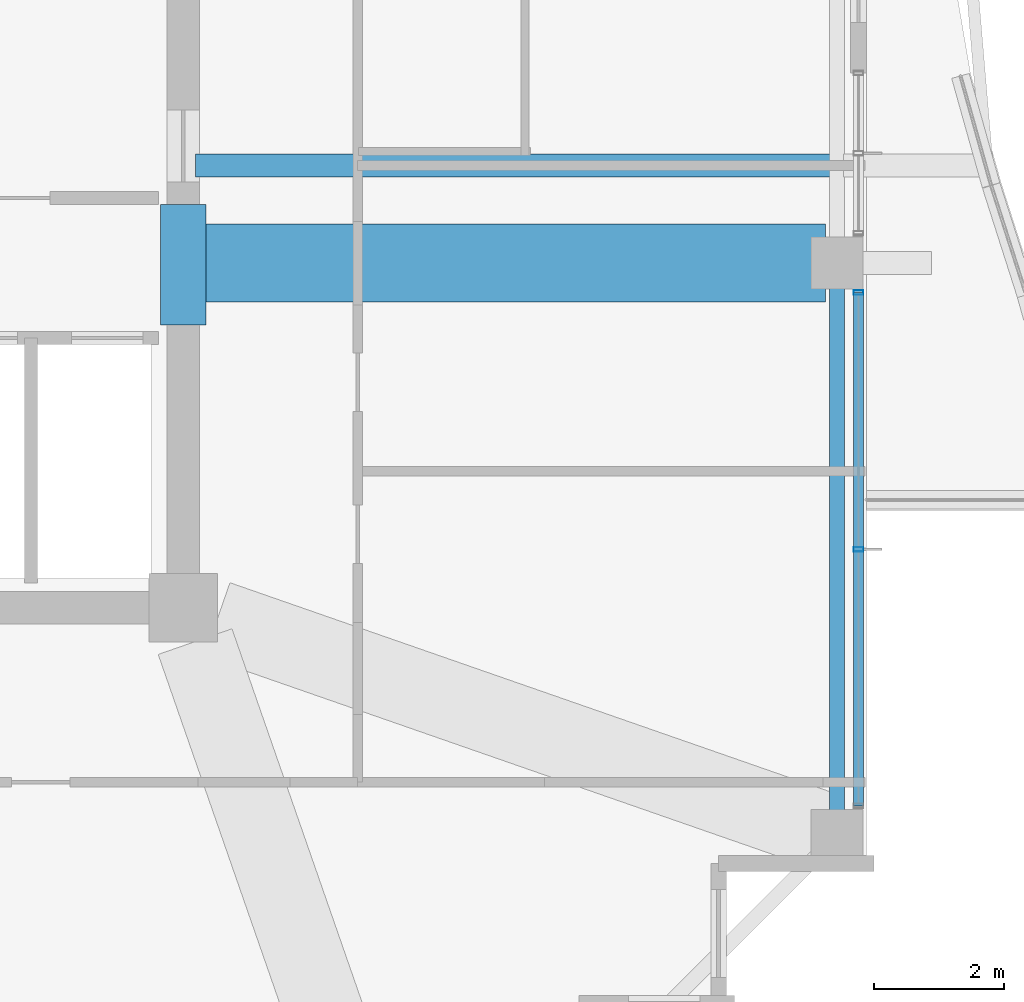
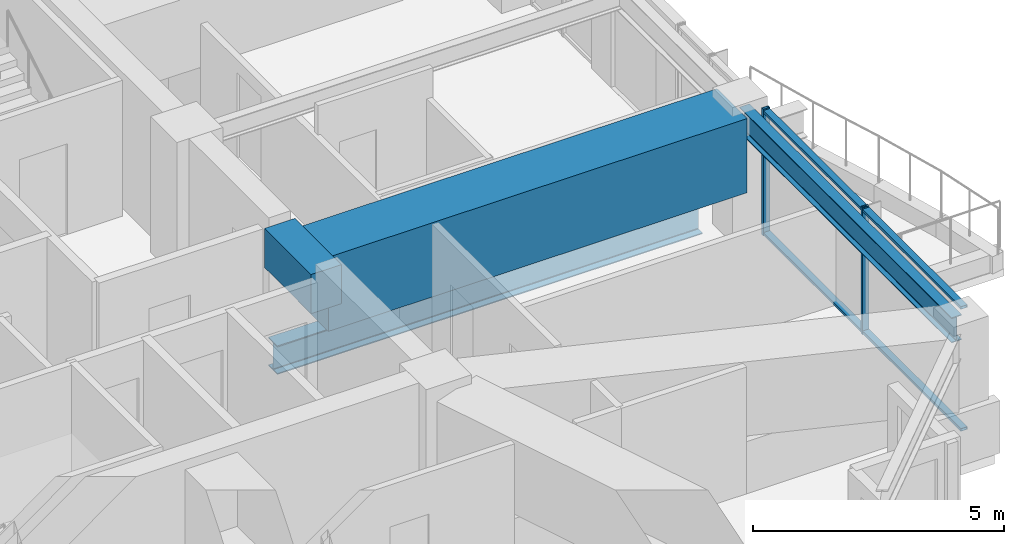
# One storey, part 13 of 35: 4 beams, 4 members, 1 element without a shape of its own.
"""IFC4 building model written with IfcOpenShell, lengths in metres."""

from ifc_helpers import new_model, si_unit, direction, frame, origin, origin_2d, place, context, subcontext, project, spatial, rectangle, hollow_rectangle, i_section, extrude, material, material_profile, profile_set, type_object, element, aggregate, save


model = new_model("IFC4")

# Units and contexts
model_context = context("Model", 3, precision=1e-05, world=origin(), true_north=direction((0.0, 1.0)))
body_context = subcontext(model_context, "Body", "Model", "MODEL_VIEW")
ifc_project = project(units=[si_unit("LENGTHUNIT", "METRE"), si_unit("AREAUNIT", "SQUARE_METRE"), si_unit("VOLUMEUNIT", "CUBIC_METRE"), si_unit("PLANEANGLEUNIT", "RADIAN"), si_unit("MASSUNIT", "GRAM", prefix="KILO")], contexts=[model_context])

# Site, building, storey
site_placement = place(None, origin())
site = spatial("IfcSite", under=ifc_project, at=site_placement, CompositionType="ELEMENT")
building_placement = place(site_placement, origin())
building = spatial("IfcBuilding", under=site, at=building_placement, Name="Kolvaren Belvedere", CompositionType="ELEMENT")
storey_placement = place(building_placement, frame((0.0, 0.0, 203.10009765625)))
storey = spatial("IfcBuildingStorey", under=building, at=storey_placement, Name="L59", CompositionType="ELEMENT", Elevation=203.10009765625)

# Beams
ifc_material_1 = material(Name="Structural steel ASTM A992 Grade 50", Category="steel")
ifc_material_profile_1 = material_profile(ifc_material_1, i_section(OverallWidth=0.35498046875, OverallDepth=0.696044921875, WebThickness=0.015380859375, FlangeThickness=0.02490234375, FilletRadius=0.02197265625, at=origin_2d()), Name="W27X146")
ifc_profile_set_1 = profile_set([ifc_material_profile_1], Name="Structural steel ASTM A992 Grade 50")
beam_type_1 = type_object("IfcBeamType", Name="BM-GIRD-W27X146", PredefinedType="BEAM", material=ifc_profile_set_1)
beam_1_placement = place(storey_placement, frame((10.090087890625, -3.10009765625, -0.568115234375), z_axis=(1.0, 0.0, 0.0), x_axis=(0.0, 1.0, 0.0)))
element("IfcBeam", 1, at=beam_1_placement, inside=storey, type_object=beam_type_1, Name="L59 Balcony Interior Back-Span Girder BAL-E-1", PredefinedType="BEAM", context=body_context, shape_type="SweptSolid", body=[
    extrude(i_section(OverallWidth=0.35498046875, OverallDepth=0.696044921875, WebThickness=0.015380859375, FlangeThickness=0.02490234375, FilletRadius=0.02197265625, at=origin_2d()), origin(), (0.0, 0.0, 1.0), 9.764892578125),
])
ifc_material_2 = material(Name="Concrete C60/75", Category="concrete")
ifc_material_profile_2 = material_profile(ifc_material_2, rectangle(XDim=0.699951171875, YDim=0.949951171875, at=origin_2d()), Name="RC 700X950")
ifc_profile_set_2 = profile_set([ifc_material_profile_2], Name="Concrete C60/75")
beam_type_2 = type_object("IfcBeamType", Name="BM-LINT-950", PredefinedType="LINTEL", material=ifc_profile_set_2)
beam_2_placement = place(storey_placement, frame((9.89990234375, -5.550048828125, 2.60498046875), z_axis=(0.0, 1.0, 0.0), x_axis=(-1.0, 0.0, 0.0)))
element("IfcBeam", 2, at=beam_2_placement, inside=storey, type_object=beam_type_2, Name="L59 East Core Coupling Lintel", PredefinedType="LINTEL", context=body_context, shape_type="SweptSolid", body=[
    extrude(rectangle(XDim=0.699951171875, YDim=0.949951171875, at=origin_2d()), origin(), (0.0, 0.0, 1.0), 1.85009765625),
])
ifc_material_3 = material(Name="Structural steel ASTM A992 Grade 50", Category="steel")
ifc_material_profile_3 = material_profile(ifc_material_3, i_section(OverallWidth=0.22900390625, OverallDepth=0.612060546875, WebThickness=0.011962890625, FlangeThickness=0.01953125, FilletRadius=0.01806640625, at=origin_2d()), Name="W24X84")
ifc_profile_set_3 = profile_set([ifc_material_profile_3], Name="Structural steel ASTM A992 Grade 50")
beam_type_3 = type_object("IfcBeamType", Name="BM-SPAN-W24X84", PredefinedType="SPANDREL", material=ifc_profile_set_3)
beam_3_placement = place(storey_placement, frame((19.949951171875, -13.219970703125, 2.77392578125), z_axis=(0.0, 1.0, 0.0), x_axis=(-1.0, 0.0, 0.0)))
element("IfcBeam", 3, at=beam_3_placement, inside=storey, type_object=beam_type_3, Name="L59 Perimeter Spandrel E1-E2", PredefinedType="SPANDREL", context=body_context, shape_type="SweptSolid", body=[
    extrude(i_section(OverallWidth=0.22900390625, OverallDepth=0.612060546875, WebThickness=0.011962890625, FlangeThickness=0.01953125, FilletRadius=0.01806640625, at=origin_2d()), origin(), (0.0, 0.0, 1.0), 8.43994140625),
])
ifc_material_4 = material(Name="Concrete C50/60", Category="concrete")
ifc_material_profile_4 = material_profile(ifc_material_4, rectangle(XDim=1.199951171875, YDim=1.800048828125, at=origin_2d()), Name="RC 1200X1800")
ifc_profile_set_4 = profile_set([ifc_material_profile_4], Name="Concrete C50/60")
beam_type_4 = type_object("IfcBeamType", Name="BM-TG-1800", PredefinedType="BEAM", material=ifc_profile_set_4)
beam_4_placement = place(storey_placement, frame((10.14990234375, -4.60009765625, 2.179931640625), z_axis=(1.0, 0.0, 0.0), x_axis=(0.0, 1.0, 0.0)))
element("IfcBeam", 4, at=beam_4_placement, inside=storey, type_object=beam_type_4, Name="L59 East Radial Girder M", PredefinedType="BEAM", context=body_context, shape_type="SweptSolid", body=[
    extrude(rectangle(XDim=1.199951171875, YDim=1.800048828125, at=origin_2d()), origin(), (0.0, 0.0, 1.0), 9.6201171875),
])

# Curtain wall, members
ifc_material_5 = material(Name="Anodised pale-metal aluminium AA 6063-T6", Category="aluminium")
curtain_wall_type = type_object("IfcCurtainWallType", Name="CW-Z5-HIGH", PredefinedType="NOTDEFINED", material=ifc_material_5)
curtain_wall_placement = place(storey_placement, origin())
curtain_wall = element("IfcCurtainWall", 5, at=curtain_wall_placement, inside=storey, type_object=curtain_wall_type, Name="L59 Unitised Curtain Wall FCW-L59-E2-B2", PredefinedType="NOTDEFINED")
ifc_material_6 = material(Name="Anodised pale-metal aluminium AA 6063-T6", Category="aluminium")
ifc_material_profile_5 = material_profile(ifc_material_6, hollow_rectangle(XDim=0.070068359375, YDim=0.14990234375, WallThickness=0.004150390625, at=origin_2d()), Name="ALU-MUL-150X70")
ifc_profile_set_5 = profile_set([ifc_material_profile_5], Name="Anodised pale-metal aluminium AA 6063-T6")
member_type_1 = type_object("IfcMemberType", Name="CW-MUL-150", PredefinedType="MULLION", material=ifc_profile_set_5)
member_1_placement = place(storey_placement, frame((20.280029296875, -5.054931640625, 0.0), z_axis=(0.0, 0.0, 1.0), x_axis=(0.0, 1.0, 0.0)))
member_1 = element("IfcMember", 6, at=member_1_placement, type_object=member_type_1, Name="FCW-L59-E2-B2 Unitised Mullion 1", PredefinedType="MULLION", context=body_context, shape_type="SweptSolid", body=[
    extrude(hollow_rectangle(XDim=0.070068359375, YDim=0.14990234375, WallThickness=0.004150390625, at=origin_2d()), origin(), (0.0, 0.0, 1.0), 3.079833984375),
])
member_2_placement = place(storey_placement, frame((20.280029296875, -9.0, 0.0), z_axis=(0.0, 0.0, 1.0), x_axis=(0.0, 1.0, 0.0)))
member_2 = element("IfcMember", 7, at=member_2_placement, type_object=member_type_1, Name="FCW-L59-E2-B2 Unitised Mullion 2", PredefinedType="MULLION", context=body_context, shape_type="SweptSolid", body=[
    extrude(hollow_rectangle(XDim=0.070068359375, YDim=0.14990234375, WallThickness=0.004150390625, at=origin_2d()), origin(), (0.0, 0.0, 1.0), 3.079833984375),
])
ifc_material_7 = material(Name="Anodised pale-metal aluminium AA 6063-T6", Category="aluminium")
ifc_material_profile_6 = material_profile(ifc_material_7, hollow_rectangle(XDim=0.06494140625, YDim=0.14990234375, WallThickness=0.00390625, at=origin_2d()), Name="ALU-TRN-150X65")
ifc_profile_set_6 = profile_set([ifc_material_profile_6], Name="Anodised pale-metal aluminium AA 6063-T6")
member_type_2 = type_object("IfcMemberType", Name="CW-TRN-150", PredefinedType="USERDEFINED", material=ifc_profile_set_6)
member_3_placement = place(storey_placement, frame((20.280029296875, -5.054931640625, 0.059814453125), z_axis=(0.0, -1.0, 0.0), x_axis=(0.0, 0.0, 1.0)))
member_3 = element("IfcMember", 8, at=member_3_placement, type_object=member_type_2, Name="FCW-L59-E2-B2 Sill Transom", ObjectType="TRANSOM", PredefinedType="USERDEFINED", context=body_context, shape_type="SweptSolid", body=[
    extrude(hollow_rectangle(XDim=0.06494140625, YDim=0.14990234375, WallThickness=0.00390625, at=origin_2d()), origin(), (0.0, 0.0, 1.0), 7.89013671875),
])
member_4_placement = place(storey_placement, frame((20.280029296875, -5.054931640625, 3.02001953125), z_axis=(0.0, -1.0, 0.0), x_axis=(0.0, 0.0, 1.0)))
member_4 = element("IfcMember", 9, at=member_4_placement, type_object=member_type_2, Name="FCW-L59-E2-B2 Head Transom", ObjectType="TRANSOM", PredefinedType="USERDEFINED", context=body_context, shape_type="SweptSolid", body=[
    extrude(hollow_rectangle(XDim=0.06494140625, YDim=0.14990234375, WallThickness=0.00390625, at=origin_2d()), origin(), (0.0, 0.0, 1.0), 7.89013671875),
])
aggregate(curtain_wall, [member_1, member_2, member_3, member_4])

save(model, "model.ifc")
